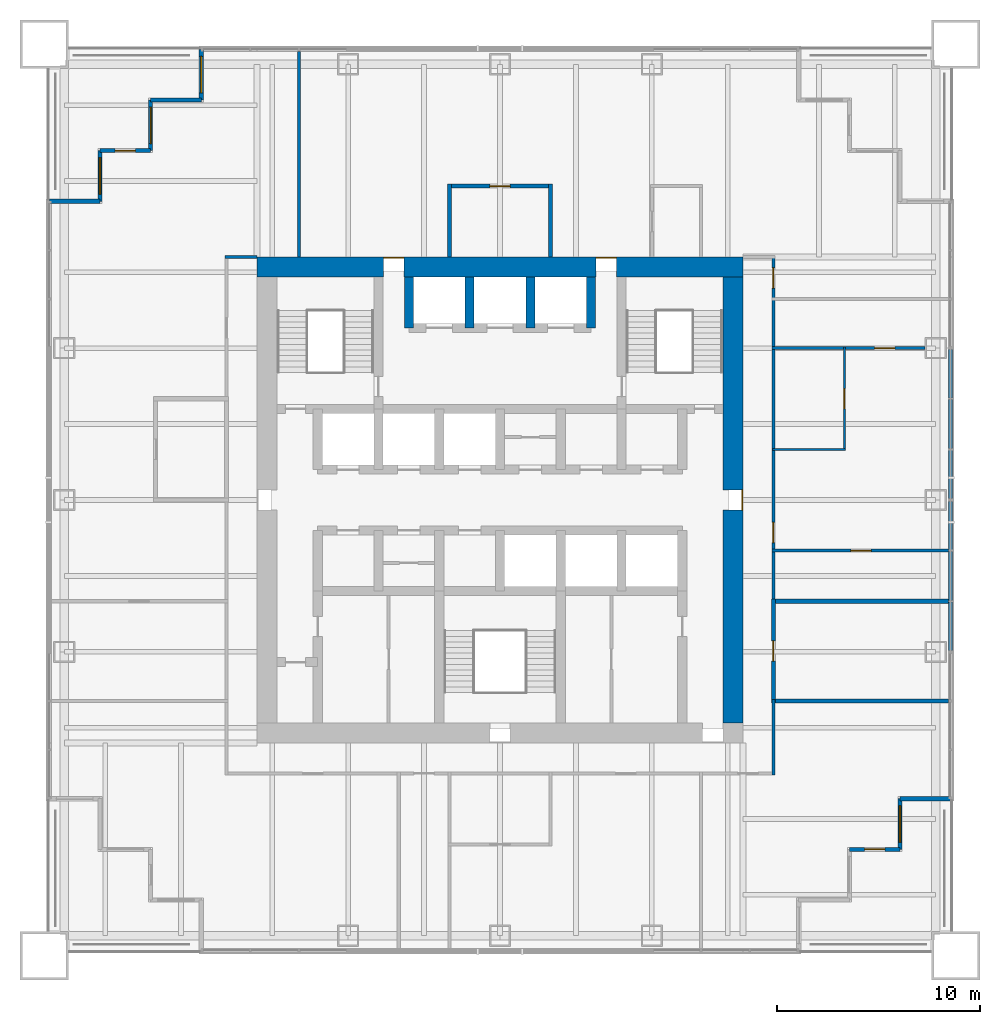
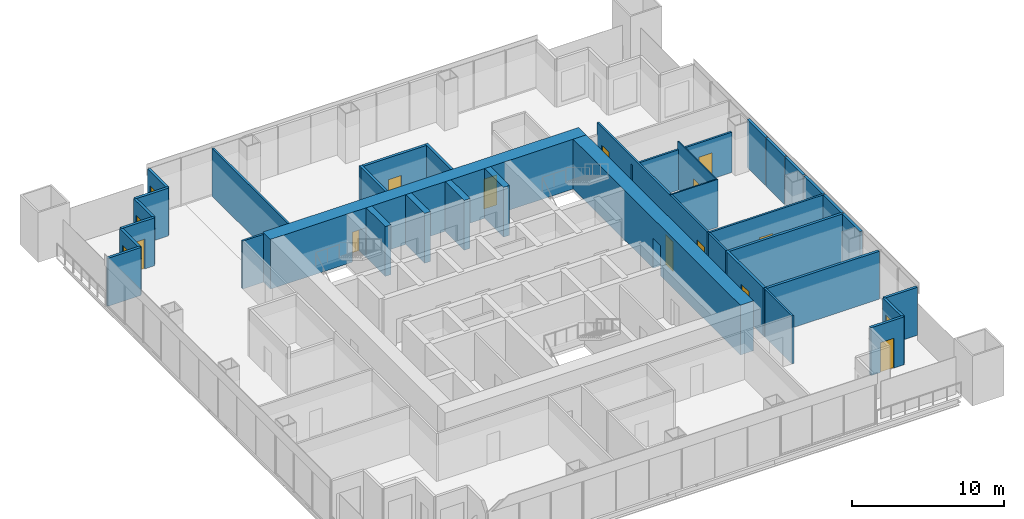
# One storey, part 10 of 13: 35 walls, 12 doors, 4 windows, 16 openings.
"""IFC4 building model written with IfcOpenShell, lengths in metres."""

from ifc_helpers import new_model, si_unit, direction, frame, frame_2d, origin, place, context, subcontext, project, spatial, rectangle, extrude, material, layer, layer_set, type_object, element, fill, save


model = new_model("IFC4")

# Units and contexts
model_context = context("Model", 3, precision=1e-05, world=origin(), true_north=direction((0.0, 1.0)))
body_context = subcontext(model_context, "Body", "Model", "MODEL_VIEW")
ifc_project = project(units=[si_unit("LENGTHUNIT", "METRE"), si_unit("AREAUNIT", "SQUARE_METRE"), si_unit("VOLUMEUNIT", "CUBIC_METRE"), si_unit("PLANEANGLEUNIT", "RADIAN"), si_unit("MASSUNIT", "GRAM", prefix="KILO")], contexts=[model_context])

# Site, building, storey
site_placement = place(None, origin())
site = spatial("IfcSite", under=ifc_project, at=site_placement, CompositionType="ELEMENT")
building_placement = place(site_placement, origin())
building = spatial("IfcBuilding", under=site, at=building_placement, Name="Tarangal Relay Tower", CompositionType="ELEMENT")
storey_placement = place(building_placement, frame((0.0, 0.0, 197.89990234375)))
storey = spatial("IfcBuildingStorey", under=building, at=storey_placement, Name="L41", CompositionType="ELEMENT", Elevation=197.89990234375)

# Walls
ifc_material_1 = material(Name="Two layers gypsum board each side on twin steel studs, mineral wool", Category="steel")
ifc_layer_1 = layer(ifc_material_1, 0.199951171875)
ifc_layer_set_1 = layer_set([ifc_layer_1], Name="Acoustic partition 200")
wall_type_1 = type_object("IfcWallType", Name="Acoustic partition 200", PredefinedType="PARTITIONING", material=ifc_layer_set_1)
for number, where, z_axis, x_axis, name in (
    (1, (13.39990234375, -9.9169921875, 0.0), (0.0, 0.0, 1.0), (1.0, 0.0, 0.0), "Partition PT2 L41"),
    (2, (13.39990234375, -5.0, 0.0), (0.0, 0.0, 1.0), (1.0, 0.0, 0.0), "Partition PT2 L41"),
):
    element("IfcWall", number, at=place(storey_placement, frame(where, z_axis=z_axis, x_axis=x_axis)), inside=storey, type_object=wall_type_1, Name=name, PredefinedType="PARTITIONING", context=body_context, shape_type="SweptSolid", body=[
        extrude(rectangle(XDim=8.75, YDim=0.199951171875, at=frame_2d((4.375, 0.0))), origin(), (0.0, 0.0, 1.0), 3.85009765625),
    ])

# Wall, opening, door
wall_1_placement = place(storey_placement, frame((-2.60009765625, 15.5, 0.0), z_axis=(0.0, 0.0, 1.0), x_axis=(1.0, 0.0, 0.0)))
wall_1 = element("IfcWall", 3, at=wall_1_placement, inside=storey, type_object=wall_type_1, Name="Partition PT2 L41", PredefinedType="PARTITIONING", context=body_context, shape_type="SweptSolid", body=[
    extrude(rectangle(XDim=5.2001953125, YDim=0.199951171875, at=frame_2d((2.60009765625, 0.0))), origin(), (0.0, 0.0, 1.0), 3.85009765625),
])
opening_1_placement = place(wall_1_placement, frame((2.10009765625, 0.0, 0.0)))
opening_1 = element("IfcOpeningElement", 4, at=opening_1_placement, cuts=wall_1, Name="Opening D2", PredefinedType="OPENING", context=body_context, shape_type="SweptSolid", body=[
    extrude(rectangle(XDim=1.0, YDim=2.10009765625, at=frame_2d((0.5, 1.050048828125))), frame((0.0, 0.10986328125, 0.0), z_axis=(0.0, -1.0, 0.0), x_axis=(1.0, 0.0, 0.0)), (0.0, 0.0, 1.0), 0.219970703125),
])
ifc_material_2 = material(Name="Hardwood door", Category="wood")
door_type_1 = type_object("IfcDoorType", Name="Door 1000 x 2100", OperationType="SINGLE_SWING_LEFT", PredefinedType="DOOR", material=ifc_material_2)
door_1_placement = place(opening_1_placement, origin())
door_1 = element("IfcDoor", 5, at=door_1_placement, inside=storey, type_object=door_type_1, Name="Door D2 to meeting room L41-02", OperationType="SINGLE_SWING_LEFT", OverallHeight=2.10009765625, OverallWidth=1.0, PredefinedType="DOOR", context=body_context, shape_type="SweptSolid", body=[
    extrude(rectangle(XDim=1.0, YDim=2.10009765625, at=frame_2d((0.5, 1.050048828125))), frame((0.0, 0.02490234375, 0.0), z_axis=(0.0, -1.0, 0.0), x_axis=(1.0, 0.0, 0.0)), (0.0, 0.0, 1.0), 0.050048828125),
])
fill(opening_1, door_1)

# Walls
for number, where, z_axis, x_axis, name in (
    (6, (-2.5, 12.0, 0.0), (0.0, 0.0, 1.0), (0.0, 1.0, 0.0), "Partition PT2 L41"),
    (7, (2.5, 12.0, 0.0), (0.0, 0.0, 1.0), (0.0, 1.0, 0.0), "Partition PT2 L41"),
):
    element("IfcWall", number, at=place(storey_placement, frame(where, z_axis=z_axis, x_axis=x_axis)), inside=storey, type_object=wall_type_1, Name=name, PredefinedType="PARTITIONING", context=body_context, shape_type="SweptSolid", body=[
        extrude(rectangle(XDim=3.60009765625, YDim=0.199951171875, at=frame_2d((1.800048828125, 0.0))), origin(), (0.0, 0.0, 1.0), 3.85009765625),
    ])

# Wall, opening, door
wall_2_placement = place(storey_placement, frame((13.5, -10.01708984375, 0.0), z_axis=(0.0, 0.0, 1.0), x_axis=(0.0, 1.0, 0.0)))
wall_2 = element("IfcWall", 8, at=wall_2_placement, inside=storey, type_object=wall_type_1, Name="Partition PT2 L41", PredefinedType="PARTITIONING", context=body_context, shape_type="SweptSolid", body=[
    extrude(rectangle(XDim=5.1171875, YDim=0.199951171875, at=frame_2d((2.55859375, 0.0))), origin(), (0.0, 0.0, 1.0), 3.85009765625),
])
opening_2_placement = place(wall_2_placement, frame((2.05859375, 0.0, 0.0)))
opening_2 = element("IfcOpeningElement", 9, at=opening_2_placement, cuts=wall_2, Name="Opening SD1", PredefinedType="OPENING", context=body_context, shape_type="SweptSolid", body=[
    extrude(rectangle(XDim=1.0, YDim=2.39990234375, at=frame_2d((0.5, 1.199951171875))), frame((0.0, 0.10986328125, 0.0), z_axis=(0.0, -1.0, 0.0), x_axis=(1.0, 0.0, 0.0)), (0.0, 0.0, 1.0), 0.219970703125),
])
ifc_material_3 = material(Name="Steel door with hardwood frame", Category="steel")
door_type_2 = type_object("IfcDoorType", Name="Suite entrance door 1000 x 2400", OperationType="SINGLE_SWING_RIGHT", PredefinedType="DOOR", material=ifc_material_3)
door_2_placement = place(opening_2_placement, origin())
door_2 = element("IfcDoor", 10, at=door_2_placement, inside=storey, type_object=door_type_2, Name="Door SD1 to boardroom L41-08", OperationType="SINGLE_SWING_RIGHT", OverallHeight=2.39990234375, OverallWidth=1.0, PredefinedType="DOOR", context=body_context, shape_type="SweptSolid", body=[
    extrude(rectangle(XDim=1.0, YDim=2.39990234375, at=frame_2d((0.5, 1.199951171875))), frame((0.0, 0.02490234375, 0.0), z_axis=(0.0, -1.0, 0.0), x_axis=(1.0, 0.0, 0.0)), (0.0, 0.0, 1.0), 0.050048828125),
])
fill(opening_2, door_2)

# Walls
ifc_material_4 = material(Name="Concrete fc' 60 MPa", Category="concrete")
ifc_layer_2 = layer(ifc_material_4, 0.449951171875)
ifc_layer_set_2 = layer_set([ifc_layer_2], Name="Core inner wall 450")
wall_type_2 = type_object("IfcWallType", Name="Core inner wall 450", PredefinedType="SHEAR", material=ifc_layer_set_2)
for number, where, z_axis, x_axis, name in (
    (11, (-4.5, 8.5, 0.0), (0.0, 0.0, 1.0), (0.0, 1.0, 0.0), "Core wall XM45 L41"),
    (12, (4.5, 8.5, 0.0), (0.0, 0.0, 1.0), (0.0, 1.0, 0.0), "Core wall X45 L41"),
    (13, (-1.5, 8.5, 0.0), (0.0, 0.0, 1.0), (0.0, 1.0, 0.0), "Core wall XM15 L41"),
    (14, (1.5, 8.5, 0.0), (0.0, 0.0, 1.0), (0.0, 1.0, 0.0), "Core wall X15 L41"),
):
    element("IfcWall", number, at=place(storey_placement, frame(where, z_axis=z_axis, x_axis=x_axis)), inside=storey, type_object=wall_type_2, Name=name, PredefinedType="SHEAR", context=body_context, shape_type="SweptSolid", body=[
        extrude(rectangle(XDim=2.5, YDim=0.449951171875, at=frame_2d((1.25, 0.0))), origin(), (0.0, 0.0, 1.0), 4.0),
    ])

# Wall, openings, doors
ifc_layer_3 = layer(ifc_material_4, 1.0)
ifc_layer_set_3 = layer_set([ifc_layer_3], Name="Core wall 1000")
wall_type_3 = type_object("IfcWallType", Name="Core wall 1000", PredefinedType="SHEAR", material=ifc_layer_set_3)
wall_3_placement = place(storey_placement, frame((-12.0, 11.5, 0.0), z_axis=(0.0, 0.0, 1.0), x_axis=(1.0, 0.0, 0.0)))
wall_3 = element("IfcWall", 15, at=wall_3_placement, inside=storey, type_object=wall_type_3, Name="Core wall N L41", PredefinedType="SHEAR", context=body_context, shape_type="SweptSolid", body=[
    extrude(rectangle(XDim=24.0, YDim=1.0, at=frame_2d((12.0, 0.0))), origin(), (0.0, 0.0, 1.0), 4.0),
])
opening_3_placement = place(wall_3_placement, frame((6.25, 0.0, 0.0)))
opening_3 = element("IfcOpeningElement", 16, at=opening_3_placement, cuts=wall_3, Name="Opening FD3", PredefinedType="OPENING", context=body_context, shape_type="SweptSolid", body=[
    extrude(rectangle(XDim=1.0, YDim=2.39990234375, at=frame_2d((0.5, 1.199951171875))), frame((0.0, 0.510009765625, 0.0), z_axis=(0.0, -1.0, 0.0), x_axis=(1.0, 0.0, 0.0)), (0.0, 0.0, 1.0), 1.02001953125),
])
opening_4_placement = place(wall_3_placement, frame((16.75, 0.0, 0.0)))
opening_4 = element("IfcOpeningElement", 17, at=opening_4_placement, cuts=wall_3, Name="Opening FD3", PredefinedType="OPENING", context=body_context, shape_type="SweptSolid", body=[
    extrude(rectangle(XDim=1.0, YDim=2.39990234375, at=frame_2d((0.5, 1.199951171875))), frame((0.0, 0.510009765625, 0.0), z_axis=(0.0, -1.0, 0.0), x_axis=(1.0, 0.0, 0.0)), (0.0, 0.0, 1.0), 1.02001953125),
])
door_type_3 = type_object("IfcDoorType", Name="Fire door 1000 x 2400 core entry", OperationType="SINGLE_SWING_RIGHT", PredefinedType="DOOR", material=ifc_material_3)
door_3_placement = place(opening_3_placement, origin())
door_3 = element("IfcDoor", 18, at=door_3_placement, inside=storey, type_object=door_type_3, Name="Core entry door north west L41", OperationType="SINGLE_SWING_RIGHT", OverallHeight=2.39990234375, OverallWidth=1.0, PredefinedType="DOOR", context=body_context, shape_type="SweptSolid", body=[
    extrude(rectangle(XDim=1.0, YDim=2.39990234375, at=frame_2d((0.5, 1.199951171875))), frame((0.0, 0.48486328125, 0.0), z_axis=(0.0, -1.0, 0.0), x_axis=(1.0, 0.0, 0.0)), (0.0, 0.0, 1.0), 0.050048828125),
])
fill(opening_3, door_3)
door_4_placement = place(opening_4_placement, origin())
door_4 = element("IfcDoor", 19, at=door_4_placement, inside=storey, type_object=door_type_3, Name="Core entry door north east L41", OperationType="SINGLE_SWING_RIGHT", OverallHeight=2.39990234375, OverallWidth=1.0, PredefinedType="DOOR", context=body_context, shape_type="SweptSolid", body=[
    extrude(rectangle(XDim=1.0, YDim=2.39990234375, at=frame_2d((0.5, 1.199951171875))), frame((0.0, 0.48486328125, 0.0), z_axis=(0.0, -1.0, 0.0), x_axis=(1.0, 0.0, 0.0)), (0.0, 0.0, 1.0), 0.050048828125),
])
fill(opening_4, door_4)

# Wall, opening, door
wall_4_placement = place(storey_placement, frame((11.5, 11.0, 0.0), z_axis=(0.0, 0.0, 1.0), x_axis=(0.0, -1.0, 0.0)))
wall_4 = element("IfcWall", 20, at=wall_4_placement, inside=storey, type_object=wall_type_3, Name="Core wall E L41", PredefinedType="SHEAR", context=body_context, shape_type="SweptSolid", body=[
    extrude(rectangle(XDim=22.0, YDim=1.0, at=frame_2d((11.0, 0.0))), origin(), (0.0, 0.0, 1.0), 4.0),
])
opening_5_placement = place(wall_4_placement, frame((10.5, 0.0, 0.0)))
opening_5 = element("IfcOpeningElement", 21, at=opening_5_placement, cuts=wall_4, Name="Opening FD3", PredefinedType="OPENING", context=body_context, shape_type="SweptSolid", body=[
    extrude(rectangle(XDim=1.0, YDim=2.39990234375, at=frame_2d((0.5, 1.199951171875))), frame((0.0, 0.510009765625, 0.0), z_axis=(0.0, -1.0, 0.0), x_axis=(1.0, 0.0, 0.0)), (0.0, 0.0, 1.0), 1.02001953125),
])
door_5_placement = place(opening_5_placement, origin())
door_5 = element("IfcDoor", 22, at=door_5_placement, inside=storey, type_object=door_type_3, Name="Core entry door east L41", OperationType="SINGLE_SWING_RIGHT", OverallHeight=2.39990234375, OverallWidth=1.0, PredefinedType="DOOR", context=body_context, shape_type="SweptSolid", body=[
    extrude(rectangle(XDim=1.0, YDim=2.39990234375, at=frame_2d((0.5, 1.199951171875))), frame((0.0, 0.48486328125, 0.0), z_axis=(0.0, -1.0, 0.0), x_axis=(1.0, 0.0, 0.0)), (0.0, 0.0, 1.0), 0.050048828125),
])
fill(opening_5, door_5)

# Wall
ifc_material_5 = material(Name="Black metal clad insulated wall", Category="steel")
ifc_layer_4 = layer(ifc_material_5, 0.199951171875)
ifc_layer_set_4 = layer_set([ifc_layer_4], Name="Corner wall metal clad 200")
wall_type_4 = type_object("IfcWallType", Name="Corner wall metal clad 200", PredefinedType="SOLIDWALL", material=ifc_layer_set_4)
wall_5_placement = place(storey_placement, frame((22.25, -14.75, 0.0), z_axis=(0.0, 0.0, 1.0), x_axis=(-1.0, 0.0, 0.0)))
element("IfcWall", 23, at=wall_5_placement, inside=storey, type_object=wall_type_4, Name="Facade wall E facade L41", PredefinedType="SOLIDWALL", context=body_context, shape_type="SweptSolid", body=[
    extrude(rectangle(XDim=2.5, YDim=0.199951171875, at=frame_2d((1.25, 0.0))), origin(), (0.0, 0.0, 1.0), 3.85009765625),
])

# Wall, opening, window
wall_6_placement = place(storey_placement, frame((19.75, -14.75, 0.0), z_axis=(0.0, 0.0, 1.0), x_axis=(0.0, -1.0, 0.0)))
wall_6 = element("IfcWall", 24, at=wall_6_placement, inside=storey, type_object=wall_type_4, Name="Facade wall E facade L41", PredefinedType="SOLIDWALL", context=body_context, shape_type="SweptSolid", body=[
    extrude(rectangle(XDim=2.5, YDim=0.199951171875, at=frame_2d((1.25, 0.0))), origin(), (0.0, 0.0, 1.0), 3.85009765625),
])
opening_6_placement = place(wall_6_placement, frame((0.35009765625, 0.0, 0.300048828125)))
opening_6 = element("IfcOpeningElement", 25, at=opening_6_placement, cuts=wall_6, Name="Opening WN2", PredefinedType="OPENING", context=body_context, shape_type="SweptSolid", body=[
    extrude(rectangle(XDim=1.800048828125, YDim=2.39990234375, at=frame_2d((0.89990234375, 1.199951171875))), frame((0.0, 0.10986328125, 0.0), z_axis=(0.0, -1.0, 0.0), x_axis=(1.0, 0.0, 0.0)), (0.0, 0.0, 1.0), 0.219970703125),
])
ifc_material_6 = material(Name="Dark tinted double glazing in black aluminium frame", Category="aluminium")
window_type = type_object("IfcWindowType", Name="Corner window 1800 x 2400", PartitioningType="SINGLE_PANEL", PredefinedType="WINDOW", material=ifc_material_6)
window_1_placement = place(opening_6_placement, origin())
window_1 = element("IfcWindow", 26, at=window_1_placement, inside=storey, type_object=window_type, Name="Corner window WN2 E facade L41", OverallHeight=2.39990234375, OverallWidth=1.800048828125, PartitioningType="SINGLE_PANEL", PredefinedType="WINDOW", context=body_context, shape_type="SweptSolid", body=[
    extrude(rectangle(XDim=1.800048828125, YDim=2.39990234375, at=frame_2d((0.89990234375, 1.199951171875))), frame((0.0, 0.030029296875, 0.0), z_axis=(0.0, -1.0, 0.0), x_axis=(1.0, 0.0, 0.0)), (0.0, 0.0, 1.0), 0.06005859375),
])
fill(opening_6, window_1)

# Wall, opening, door
wall_7_placement = place(storey_placement, frame((19.75, -17.25, 0.0), z_axis=(0.0, 0.0, 1.0), x_axis=(-1.0, 0.0, 0.0)))
wall_7 = element("IfcWall", 27, at=wall_7_placement, inside=storey, type_object=wall_type_4, Name="Facade wall E facade L41", PredefinedType="SOLIDWALL", context=body_context, shape_type="SweptSolid", body=[
    extrude(rectangle(XDim=2.5, YDim=0.199951171875, at=frame_2d((1.25, 0.0))), origin(), (0.0, 0.0, 1.0), 3.85009765625),
])
opening_7_placement = place(wall_7_placement, frame((0.75, 0.0, 0.0)))
opening_7 = element("IfcOpeningElement", 28, at=opening_7_placement, cuts=wall_7, Name="Opening TD1", PredefinedType="OPENING", context=body_context, shape_type="SweptSolid", body=[
    extrude(rectangle(XDim=1.0, YDim=2.39990234375, at=frame_2d((0.5, 1.199951171875))), frame((0.0, 0.10986328125, 0.0), z_axis=(0.0, -1.0, 0.0), x_axis=(1.0, 0.0, 0.0)), (0.0, 0.0, 1.0), 0.219970703125),
])
ifc_material_7 = material(Name="Aluminium glazed door", Category="aluminium")
door_type_4 = type_object("IfcDoorType", Name="Terrace door 1000 x 2400", OperationType="SINGLE_SWING_RIGHT", PredefinedType="DOOR", material=ifc_material_7)
door_6_placement = place(opening_7_placement, origin())
door_6 = element("IfcDoor", 29, at=door_6_placement, inside=storey, type_object=door_type_4, Name="Terrace door TD1 SE L41", OperationType="SINGLE_SWING_RIGHT", OverallHeight=2.39990234375, OverallWidth=1.0, PredefinedType="DOOR", context=body_context, shape_type="SweptSolid", body=[
    extrude(rectangle(XDim=1.0, YDim=2.39990234375, at=frame_2d((0.5, 1.199951171875))), frame((0.0, 0.02490234375, 0.0), z_axis=(0.0, -1.0, 0.0), x_axis=(1.0, 0.0, 0.0)), (0.0, 0.0, 1.0), 0.050048828125),
])
fill(opening_7, door_6)

# Wall
wall_8_placement = place(storey_placement, frame((-22.25, 14.75, 0.0), z_axis=(0.0, 0.0, 1.0), x_axis=(1.0, 0.0, 0.0)))
element("IfcWall", 30, at=wall_8_placement, inside=storey, type_object=wall_type_4, Name="Facade wall W facade L41", PredefinedType="SOLIDWALL", context=body_context, shape_type="SweptSolid", body=[
    extrude(rectangle(XDim=2.5, YDim=0.199951171875, at=frame_2d((1.25, 0.0))), origin(), (0.0, 0.0, 1.0), 3.85009765625),
])

# Wall, opening, window
wall_9_placement = place(storey_placement, frame((-19.75, 14.75, 0.0), z_axis=(0.0, 0.0, 1.0), x_axis=(0.0, 1.0, 0.0)))
wall_9 = element("IfcWall", 31, at=wall_9_placement, inside=storey, type_object=wall_type_4, Name="Facade wall W facade L41", PredefinedType="SOLIDWALL", context=body_context, shape_type="SweptSolid", body=[
    extrude(rectangle(XDim=2.5, YDim=0.199951171875, at=frame_2d((1.25, 0.0))), origin(), (0.0, 0.0, 1.0), 3.85009765625),
])
opening_8_placement = place(wall_9_placement, frame((0.35009765625, 0.0, 0.300048828125)))
opening_8 = element("IfcOpeningElement", 32, at=opening_8_placement, cuts=wall_9, Name="Opening WN2", PredefinedType="OPENING", context=body_context, shape_type="SweptSolid", body=[
    extrude(rectangle(XDim=1.800048828125, YDim=2.39990234375, at=frame_2d((0.89990234375, 1.199951171875))), frame((0.0, 0.10986328125, 0.0), z_axis=(0.0, -1.0, 0.0), x_axis=(1.0, 0.0, 0.0)), (0.0, 0.0, 1.0), 0.219970703125),
])
window_2_placement = place(opening_8_placement, origin())
window_2 = element("IfcWindow", 33, at=window_2_placement, inside=storey, type_object=window_type, Name="Corner window WN2 W facade L41", OverallHeight=2.39990234375, OverallWidth=1.800048828125, PartitioningType="SINGLE_PANEL", PredefinedType="WINDOW", context=body_context, shape_type="SweptSolid", body=[
    extrude(rectangle(XDim=1.800048828125, YDim=2.39990234375, at=frame_2d((0.89990234375, 1.199951171875))), frame((0.0, 0.030029296875, 0.0), z_axis=(0.0, -1.0, 0.0), x_axis=(1.0, 0.0, 0.0)), (0.0, 0.0, 1.0), 0.06005859375),
])
fill(opening_8, window_2)

# Wall, opening, door
wall_10_placement = place(storey_placement, frame((-19.75, 17.25, 0.0), z_axis=(0.0, 0.0, 1.0), x_axis=(1.0, 0.0, 0.0)))
wall_10 = element("IfcWall", 34, at=wall_10_placement, inside=storey, type_object=wall_type_4, Name="Facade wall W facade L41", PredefinedType="SOLIDWALL", context=body_context, shape_type="SweptSolid", body=[
    extrude(rectangle(XDim=2.5, YDim=0.199951171875, at=frame_2d((1.25, 0.0))), origin(), (0.0, 0.0, 1.0), 3.85009765625),
])
opening_9_placement = place(wall_10_placement, frame((0.75, 0.0, 0.0)))
opening_9 = element("IfcOpeningElement", 35, at=opening_9_placement, cuts=wall_10, Name="Opening TD1", PredefinedType="OPENING", context=body_context, shape_type="SweptSolid", body=[
    extrude(rectangle(XDim=1.0, YDim=2.39990234375, at=frame_2d((0.5, 1.199951171875))), frame((0.0, 0.10986328125, 0.0), z_axis=(0.0, -1.0, 0.0), x_axis=(1.0, 0.0, 0.0)), (0.0, 0.0, 1.0), 0.219970703125),
])
door_7_placement = place(opening_9_placement, origin())
door_7 = element("IfcDoor", 36, at=door_7_placement, inside=storey, type_object=door_type_4, Name="Terrace door TD1 NW L41", OperationType="SINGLE_SWING_RIGHT", OverallHeight=2.39990234375, OverallWidth=1.0, PredefinedType="DOOR", context=body_context, shape_type="SweptSolid", body=[
    extrude(rectangle(XDim=1.0, YDim=2.39990234375, at=frame_2d((0.5, 1.199951171875))), frame((0.0, 0.02490234375, 0.0), z_axis=(0.0, -1.0, 0.0), x_axis=(1.0, 0.0, 0.0)), (0.0, 0.0, 1.0), 0.050048828125),
])
fill(opening_9, door_7)

# Wall, opening, window
wall_11_placement = place(storey_placement, frame((-17.25, 17.25, 0.0), z_axis=(0.0, 0.0, 1.0), x_axis=(0.0, 1.0, 0.0)))
wall_11 = element("IfcWall", 37, at=wall_11_placement, inside=storey, type_object=wall_type_4, Name="Facade wall W facade L41", PredefinedType="SOLIDWALL", context=body_context, shape_type="SweptSolid", body=[
    extrude(rectangle(XDim=2.5, YDim=0.199951171875, at=frame_2d((1.25, 0.0))), origin(), (0.0, 0.0, 1.0), 3.85009765625),
])
opening_10_placement = place(wall_11_placement, frame((0.35009765625, 0.0, 0.300048828125)))
opening_10 = element("IfcOpeningElement", 38, at=opening_10_placement, cuts=wall_11, Name="Opening WN2", PredefinedType="OPENING", context=body_context, shape_type="SweptSolid", body=[
    extrude(rectangle(XDim=1.800048828125, YDim=2.39990234375, at=frame_2d((0.89990234375, 1.199951171875))), frame((0.0, 0.10986328125, 0.0), z_axis=(0.0, -1.0, 0.0), x_axis=(1.0, 0.0, 0.0)), (0.0, 0.0, 1.0), 0.219970703125),
])
window_3_placement = place(opening_10_placement, origin())
window_3 = element("IfcWindow", 39, at=window_3_placement, inside=storey, type_object=window_type, Name="Corner window WN2 W facade L41", OverallHeight=2.39990234375, OverallWidth=1.800048828125, PartitioningType="SINGLE_PANEL", PredefinedType="WINDOW", context=body_context, shape_type="SweptSolid", body=[
    extrude(rectangle(XDim=1.800048828125, YDim=2.39990234375, at=frame_2d((0.89990234375, 1.199951171875))), frame((0.0, 0.030029296875, 0.0), z_axis=(0.0, -1.0, 0.0), x_axis=(1.0, 0.0, 0.0)), (0.0, 0.0, 1.0), 0.06005859375),
])
fill(opening_10, window_3)

# Wall
wall_12_placement = place(storey_placement, frame((-17.25, 19.75, 0.0), z_axis=(0.0, 0.0, 1.0), x_axis=(1.0, 0.0, 0.0)))
element("IfcWall", 40, at=wall_12_placement, inside=storey, type_object=wall_type_4, Name="Facade wall W facade L41", PredefinedType="SOLIDWALL", context=body_context, shape_type="SweptSolid", body=[
    extrude(rectangle(XDim=2.5, YDim=0.199951171875, at=frame_2d((1.25, 0.0))), origin(), (0.0, 0.0, 1.0), 3.85009765625),
])

# Wall, opening, window
wall_13_placement = place(storey_placement, frame((-14.75, 19.75, 0.0), z_axis=(0.0, 0.0, 1.0), x_axis=(0.0, 1.0, 0.0)))
wall_13 = element("IfcWall", 41, at=wall_13_placement, inside=storey, type_object=wall_type_4, Name="Facade wall W facade L41", PredefinedType="SOLIDWALL", context=body_context, shape_type="SweptSolid", body=[
    extrude(rectangle(XDim=2.5, YDim=0.199951171875, at=frame_2d((1.25, 0.0))), origin(), (0.0, 0.0, 1.0), 3.85009765625),
])
opening_11_placement = place(wall_13_placement, frame((0.35009765625, 0.0, 0.300048828125)))
opening_11 = element("IfcOpeningElement", 42, at=opening_11_placement, cuts=wall_13, Name="Opening WN2", PredefinedType="OPENING", context=body_context, shape_type="SweptSolid", body=[
    extrude(rectangle(XDim=1.800048828125, YDim=2.39990234375, at=frame_2d((0.89990234375, 1.199951171875))), frame((0.0, 0.10986328125, 0.0), z_axis=(0.0, -1.0, 0.0), x_axis=(1.0, 0.0, 0.0)), (0.0, 0.0, 1.0), 0.219970703125),
])
window_4_placement = place(opening_11_placement, origin())
window_4 = element("IfcWindow", 43, at=window_4_placement, inside=storey, type_object=window_type, Name="Corner window WN2 W facade L41", OverallHeight=2.39990234375, OverallWidth=1.800048828125, PartitioningType="SINGLE_PANEL", PredefinedType="WINDOW", context=body_context, shape_type="SweptSolid", body=[
    extrude(rectangle(XDim=1.800048828125, YDim=2.39990234375, at=frame_2d((0.89990234375, 1.199951171875))), frame((0.0, 0.030029296875, 0.0), z_axis=(0.0, -1.0, 0.0), x_axis=(1.0, 0.0, 0.0)), (0.0, 0.0, 1.0), 0.06005859375),
])
fill(opening_11, window_4)

# Walls
ifc_layer_5 = layer(ifc_material_5, 0.199951171875)
ifc_layer_set_5 = layer_set([ifc_layer_5], Name="Facade infill wall metal clad 200")
wall_type_5 = type_object("IfcWallType", Name="Facade infill wall metal clad 200", PredefinedType="SOLIDWALL", material=ifc_layer_set_5)
wall_14_placement = place(storey_placement, frame((22.25, 7.43505859375, 0.0), z_axis=(0.0, 0.0, 1.0), x_axis=(0.0, -1.0, 0.0)))
element("IfcWall", 44, at=wall_14_placement, inside=storey, type_object=wall_type_5, Name="Facade infill wall E facade L41 1.1", PredefinedType="SOLIDWALL", context=body_context, shape_type="SweptSolid", body=[
    extrude(rectangle(XDim=2.402587890625, YDim=0.199951171875, at=frame_2d((1.201171875, 0.0))), origin(), (0.0, 0.0, 1.0), 3.85009765625),
])
wall_15_placement = place(storey_placement, frame((22.25, 4.967529296875, 0.0), z_axis=(0.0, 0.0, 1.0), x_axis=(0.0, -1.0, 0.0)))
element("IfcWall", 45, at=wall_15_placement, inside=storey, type_object=wall_type_5, Name="Facade infill wall E facade L41 2.1", PredefinedType="SOLIDWALL", context=body_context, shape_type="SweptSolid", body=[
    extrude(rectangle(XDim=2.43505859375, YDim=0.199951171875, at=frame_2d((1.217529296875, 0.0))), origin(), (0.0, 0.0, 1.0), 3.85009765625),
])
for number, where, z_axis, x_axis, name in (
    (46, (22.25, 2.467529296875, 0.0), (0.0, 0.0, 1.0), (0.0, -1.0, 0.0), "Facade infill wall E facade L41 3.1"),
    (47, (22.25, -0.06494140625, 0.0), (0.0, 0.0, 1.0), (0.0, -1.0, 0.0), "Facade infill wall E facade L41 1.1"),
):
    element("IfcWall", number, at=place(storey_placement, frame(where, z_axis=z_axis, x_axis=x_axis)), inside=storey, type_object=wall_type_5, Name=name, PredefinedType="SOLIDWALL", context=body_context, shape_type="SweptSolid", body=[
        extrude(rectangle(XDim=2.402587890625, YDim=0.199951171875, at=frame_2d((1.201171875, 0.0))), origin(), (0.0, 0.0, 1.0), 3.85009765625),
    ])
wall_16_placement = place(storey_placement, frame((22.25, -2.532470703125, 0.0), z_axis=(0.0, 0.0, 1.0), x_axis=(0.0, -1.0, 0.0)))
element("IfcWall", 48, at=wall_16_placement, inside=storey, type_object=wall_type_5, Name="Facade infill wall E facade L41 2.1", PredefinedType="SOLIDWALL", context=body_context, shape_type="SweptSolid", body=[
    extrude(rectangle(XDim=2.43505859375, YDim=0.199951171875, at=frame_2d((1.217529296875, 0.0))), origin(), (0.0, 0.0, 1.0), 3.85009765625),
])
wall_17_placement = place(storey_placement, frame((22.25, -5.032470703125, 0.0), z_axis=(0.0, 0.0, 1.0), x_axis=(0.0, -1.0, 0.0)))
element("IfcWall", 49, at=wall_17_placement, inside=storey, type_object=wall_type_5, Name="Facade infill wall E facade L41 3.1", PredefinedType="SOLIDWALL", context=body_context, shape_type="SweptSolid", body=[
    extrude(rectangle(XDim=2.402587890625, YDim=0.199951171875, at=frame_2d((1.201171875, 0.0))), origin(), (0.0, 0.0, 1.0), 3.85009765625),
])
ifc_material_8 = material(Name="Double glazed aluminium framed partition", Category="aluminium")
ifc_layer_6 = layer(ifc_material_8, 0.10009765625)
ifc_layer_set_6 = layer_set([ifc_layer_6], Name="Glazed partition 100")
wall_type_6 = type_object("IfcWallType", Name="Glazed partition 100", PredefinedType="PARTITIONING", material=ifc_layer_set_6)
wall_18_placement = place(storey_placement, frame((13.449951171875, 2.5, 0.0), z_axis=(0.0, 0.0, 1.0), x_axis=(1.0, 0.0, 0.0)))
element("IfcWall", 50, at=wall_18_placement, inside=storey, type_object=wall_type_6, Name="Partition PT3 L41", PredefinedType="PARTITIONING", context=body_context, shape_type="SweptSolid", body=[
    extrude(rectangle(XDim=3.60009765625, YDim=0.10009765625, at=frame_2d((1.800048828125, 0.0))), origin(), (0.0, 0.0, 1.0), 3.85009765625),
])

# Wall, opening, door
wall_19_placement = place(storey_placement, frame((17.0, 2.449951171875, 0.0), z_axis=(0.0, 0.0, 1.0), x_axis=(0.0, 1.0, 0.0)))
wall_19 = element("IfcWall", 51, at=wall_19_placement, inside=storey, type_object=wall_type_6, Name="Partition PT3 L41", PredefinedType="PARTITIONING", context=body_context, shape_type="SweptSolid", body=[
    extrude(rectangle(XDim=5.10009765625, YDim=0.10009765625, at=frame_2d((2.550048828125, 0.0))), origin(), (0.0, 0.0, 1.0), 3.85009765625),
])
opening_12_placement = place(wall_19_placement, frame((2.050048828125, 0.0, 0.0)))
opening_12 = element("IfcOpeningElement", 52, at=opening_12_placement, cuts=wall_19, Name="Opening D3", PredefinedType="OPENING", context=body_context, shape_type="SweptSolid", body=[
    extrude(rectangle(XDim=1.0, YDim=2.10009765625, at=frame_2d((0.5, 1.050048828125))), frame((0.0, 0.06005859375, 0.0), z_axis=(0.0, -1.0, 0.0), x_axis=(1.0, 0.0, 0.0)), (0.0, 0.0, 1.0), 0.1201171875),
])
ifc_material_9 = material(Name="Frameless glass door", Category="glass")
door_type_5 = type_object("IfcDoorType", Name="Glazed door 1000 x 2100", OperationType="SINGLE_SWING_LEFT", PredefinedType="DOOR", material=ifc_material_9)
door_8_placement = place(opening_12_placement, origin())
door_8 = element("IfcDoor", 53, at=door_8_placement, inside=storey, type_object=door_type_5, Name="Door D3 to meeting room L41-05", OperationType="SINGLE_SWING_LEFT", OverallHeight=2.10009765625, OverallWidth=1.0, PredefinedType="DOOR", context=body_context, shape_type="SweptSolid", body=[
    extrude(rectangle(XDim=1.0, YDim=2.10009765625, at=frame_2d((0.5, 1.050048828125))), frame((0.0, 0.02490234375, 0.0), z_axis=(0.0, -1.0, 0.0), x_axis=(1.0, 0.0, 0.0)), (0.0, 0.0, 1.0), 0.050048828125),
])
fill(opening_12, door_8)

ifc_material_10 = material(Name="Gypsum board on steel studs", Category="steel")
ifc_layer_7 = layer(ifc_material_10, 0.14990234375)
ifc_layer_set_7 = layer_set([ifc_layer_7], Name="Partition 150")
wall_type_7 = type_object("IfcWallType", Name="Partition 150", PredefinedType="PARTITIONING", material=ifc_layer_set_7)
wall_20_placement = place(storey_placement, frame((13.425048828125, -2.5, 0.0), z_axis=(0.0, 0.0, 1.0), x_axis=(1.0, 0.0, 0.0)))
wall_20 = element("IfcWall", 54, at=wall_20_placement, inside=storey, type_object=wall_type_7, Name="Partition PT1 L41", PredefinedType="PARTITIONING", context=body_context, shape_type="SweptSolid", body=[
    extrude(rectangle(XDim=8.724853515625, YDim=0.14990234375, at=frame_2d((4.3623046875, 0.0))), origin(), (0.0, 0.0, 1.0), 3.85009765625),
])
opening_13_placement = place(wall_20_placement, frame((3.89990234375, 0.0, 0.0)))
opening_13 = element("IfcOpeningElement", 55, at=opening_13_placement, cuts=wall_20, Name="Opening D2", PredefinedType="OPENING", context=body_context, shape_type="SweptSolid", body=[
    extrude(rectangle(XDim=1.0, YDim=2.10009765625, at=frame_2d((0.5, 1.050048828125))), frame((0.0, 0.0849609375, 0.0), z_axis=(0.0, -1.0, 0.0), x_axis=(1.0, 0.0, 0.0)), (0.0, 0.0, 1.0), 0.169921875),
])
door_9_placement = place(opening_13_placement, origin())
door_9 = element("IfcDoor", 56, at=door_9_placement, inside=storey, type_object=door_type_1, Name="Door D2 to cellular office L41-07", OperationType="SINGLE_SWING_LEFT", OverallHeight=2.10009765625, OverallWidth=1.0, PredefinedType="DOOR", context=body_context, shape_type="SweptSolid", body=[
    extrude(rectangle(XDim=1.0, YDim=2.10009765625, at=frame_2d((0.5, 1.050048828125))), frame((0.0, 0.02490234375, 0.0), z_axis=(0.0, -1.0, 0.0), x_axis=(1.0, 0.0, 0.0)), (0.0, 0.0, 1.0), 0.050048828125),
])
fill(opening_13, door_9)

wall_21_placement = place(storey_placement, frame((13.425048828125, 7.5, 0.0), z_axis=(0.0, 0.0, 1.0), x_axis=(1.0, 0.0, 0.0)))
wall_21 = element("IfcWall", 57, at=wall_21_placement, inside=storey, type_object=wall_type_7, Name="Partition PT1 L41", PredefinedType="PARTITIONING", context=body_context, shape_type="SweptSolid", body=[
    extrude(rectangle(XDim=7.56494140625, YDim=0.14990234375, at=frame_2d((3.782470703125, 0.0))), origin(), (0.0, 0.0, 1.0), 3.238037109375),
])
opening_14_placement = place(wall_21_placement, frame((5.070068359375, 0.0, 0.0)))
opening_14 = element("IfcOpeningElement", 58, at=opening_14_placement, cuts=wall_21, Name="Opening D2", PredefinedType="OPENING", context=body_context, shape_type="SweptSolid", body=[
    extrude(rectangle(XDim=1.0, YDim=2.10009765625, at=frame_2d((0.5, 1.050048828125))), frame((0.0, 0.0849609375, 0.0), z_axis=(0.0, -1.0, 0.0), x_axis=(1.0, 0.0, 0.0)), (0.0, 0.0, 1.0), 0.169921875),
])
door_10_placement = place(opening_14_placement, origin())
door_10 = element("IfcDoor", 59, at=door_10_placement, inside=storey, type_object=door_type_1, Name="Door D2 to cellular office L41-04", OperationType="SINGLE_SWING_LEFT", OverallHeight=2.10009765625, OverallWidth=1.0, PredefinedType="DOOR", context=body_context, shape_type="SweptSolid", body=[
    extrude(rectangle(XDim=1.0, YDim=2.10009765625, at=frame_2d((0.5, 1.050048828125))), frame((0.0, 0.02490234375, 0.0), z_axis=(0.0, -1.0, 0.0), x_axis=(1.0, 0.0, 0.0)), (0.0, 0.0, 1.0), 0.050048828125),
])
fill(opening_14, door_10)

# Walls
wall_22_placement = place(storey_placement, frame((-13.574951171875, 12.0, 0.0), z_axis=(0.0, 0.0, 1.0), x_axis=(1.0, 0.0, 0.0)))
element("IfcWall", 60, at=wall_22_placement, inside=storey, type_object=wall_type_7, Name="Partition PT1 L41", PredefinedType="PARTITIONING", context=body_context, shape_type="SweptSolid", body=[
    extrude(rectangle(XDim=1.574951171875, YDim=0.14990234375, at=frame_2d((0.78759765625, 0.0))), origin(), (0.0, 0.0, 1.0), 3.85009765625),
])
wall_23_placement = place(storey_placement, frame((-9.9169921875, 12.0, 0.0), z_axis=(0.0, 0.0, 1.0), x_axis=(0.0, 1.0, 0.0)))
element("IfcWall", 61, at=wall_23_placement, inside=storey, type_object=wall_type_7, Name="Partition PT1 L41", PredefinedType="PARTITIONING", context=body_context, shape_type="SweptSolid", body=[
    extrude(rectangle(XDim=10.14990234375, YDim=0.14990234375, at=frame_2d((5.074951171875, 0.0))), origin(), (0.0, 0.0, 1.0), 3.85009765625),
])
wall_24_placement = place(storey_placement, frame((13.5, -13.574951171875, 0.0), z_axis=(0.0, 0.0, 1.0), x_axis=(0.0, 1.0, 0.0)))
element("IfcWall", 62, at=wall_24_placement, inside=storey, type_object=wall_type_7, Name="Partition PT1 L41", PredefinedType="PARTITIONING", context=body_context, shape_type="SweptSolid", body=[
    extrude(rectangle(XDim=3.73291015625, YDim=0.14990234375, at=frame_2d((1.866455078125, 0.0))), origin(), (0.0, 0.0, 1.0), 3.85009765625),
])

# Wall, openings, doors
wall_25_placement = place(storey_placement, frame((13.5, -5.074951171875, 0.0), z_axis=(0.0, 0.0, 1.0), x_axis=(0.0, 1.0, 0.0)))
wall_25 = element("IfcWall", 63, at=wall_25_placement, inside=storey, type_object=wall_type_7, Name="Partition PT1 L41", PredefinedType="PARTITIONING", context=body_context, shape_type="SweptSolid", body=[
    extrude(rectangle(XDim=17.14990234375, YDim=0.14990234375, at=frame_2d((8.574951171875, 0.0))), origin(), (0.0, 0.0, 1.0), 3.85009765625),
])
opening_15_placement = place(wall_25_placement, frame((2.97509765625, 0.0, 0.0)))
opening_15 = element("IfcOpeningElement", 64, at=opening_15_placement, cuts=wall_25, Name="Opening SD1", PredefinedType="OPENING", context=body_context, shape_type="SweptSolid", body=[
    extrude(rectangle(XDim=1.0, YDim=2.39990234375, at=frame_2d((0.5, 1.199951171875))), frame((0.0, 0.0849609375, 0.0), z_axis=(0.0, -1.0, 0.0), x_axis=(1.0, 0.0, 0.0)), (0.0, 0.0, 1.0), 0.169921875),
])
opening_16_placement = place(wall_25_placement, frame((15.533447265625, 0.0, 0.0)))
opening_16 = element("IfcOpeningElement", 65, at=opening_16_placement, cuts=wall_25, Name="Opening SD1", PredefinedType="OPENING", context=body_context, shape_type="SweptSolid", body=[
    extrude(rectangle(XDim=1.0, YDim=2.39990234375, at=frame_2d((0.5, 1.199951171875))), frame((0.0, 0.0849609375, 0.0), z_axis=(0.0, -1.0, 0.0), x_axis=(1.0, 0.0, 0.0)), (0.0, 0.0, 1.0), 0.169921875),
])
door_11_placement = place(opening_15_placement, origin())
door_11 = element("IfcDoor", 66, at=door_11_placement, inside=storey, type_object=door_type_2, Name="Door SD1 to open plan office L41-06", OperationType="SINGLE_SWING_RIGHT", OverallHeight=2.39990234375, OverallWidth=1.0, PredefinedType="DOOR", context=body_context, shape_type="SweptSolid", body=[
    extrude(rectangle(XDim=1.0, YDim=2.39990234375, at=frame_2d((0.5, 1.199951171875))), frame((0.0, 0.02490234375, 0.0), z_axis=(0.0, -1.0, 0.0), x_axis=(1.0, 0.0, 0.0)), (0.0, 0.0, 1.0), 0.050048828125),
])
fill(opening_15, door_11)
door_12_placement = place(opening_16_placement, origin())
door_12 = element("IfcDoor", 67, at=door_12_placement, inside=storey, type_object=door_type_2, Name="Door SD1 to open plan office L41-14", OperationType="SINGLE_SWING_RIGHT", OverallHeight=2.39990234375, OverallWidth=1.0, PredefinedType="DOOR", context=body_context, shape_type="SweptSolid", body=[
    extrude(rectangle(XDim=1.0, YDim=2.39990234375, at=frame_2d((0.5, 1.199951171875))), frame((0.0, 0.02490234375, 0.0), z_axis=(0.0, -1.0, 0.0), x_axis=(1.0, 0.0, 0.0)), (0.0, 0.0, 1.0), 0.050048828125),
])
fill(opening_16, door_12)

save(model, "model.ifc")
